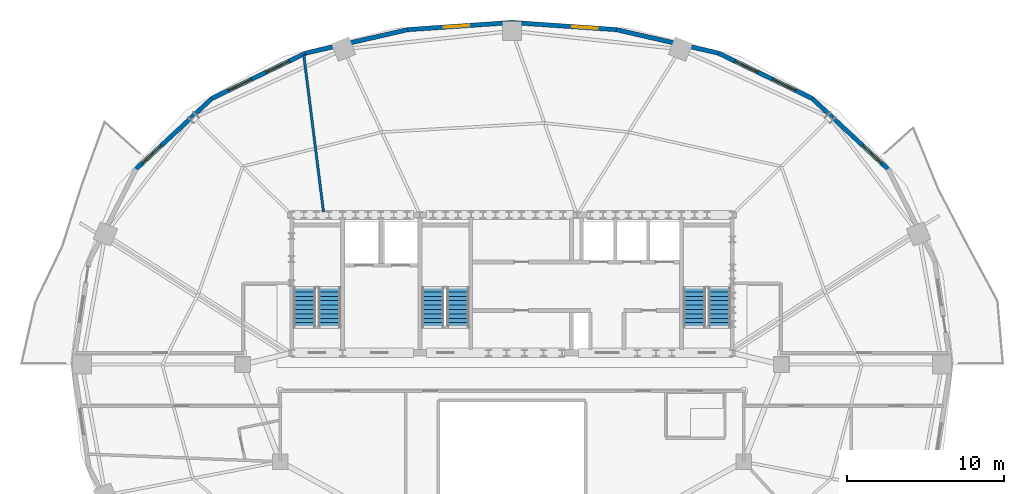
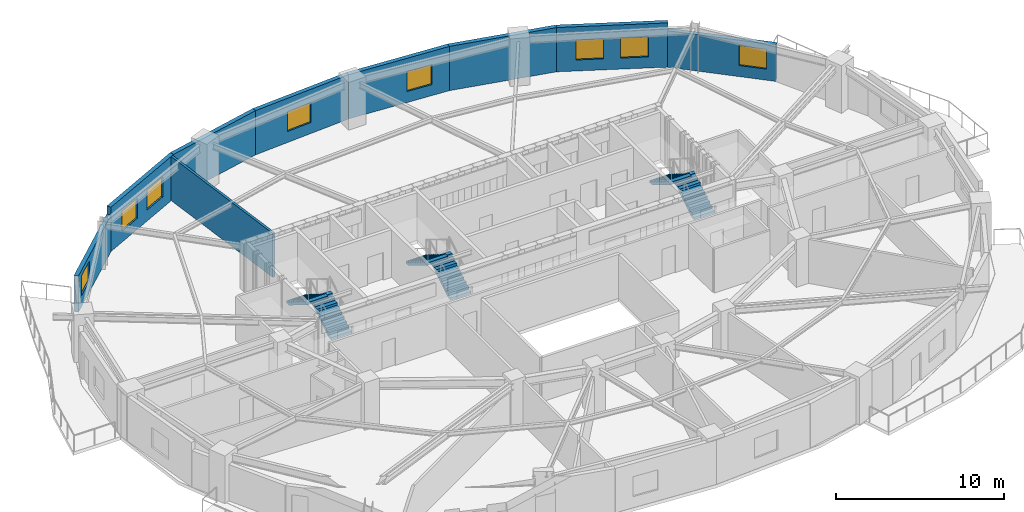
# One storey, part 6 of 11: 9 walls, 8 windows, 6 stair flights, 8 openings, 3 elements without a shape of their own.
"""IFC4 building model written with IfcOpenShell, lengths in metres."""

from ifc_helpers import new_model, si_unit, direction, frame, frame_2d, origin, place, context, subcontext, project, spatial, polyline, rectangle, outline, extrude, material, layer, layer_set, type_object, element, fill, aggregate, save


model = new_model("IFC4")

# Units and contexts
model_context = context("Model", 3, precision=1e-05, world=origin(), true_north=direction((0.0, 1.0)))
body_context = subcontext(model_context, "Body", "Model", "MODEL_VIEW")
ifc_project = project(units=[si_unit("LENGTHUNIT", "METRE"), si_unit("AREAUNIT", "SQUARE_METRE"), si_unit("VOLUMEUNIT", "CUBIC_METRE"), si_unit("PLANEANGLEUNIT", "RADIAN"), si_unit("MASSUNIT", "GRAM", prefix="KILO")], contexts=[model_context])

# Site, building, storey
site_placement = place(None, origin())
site = spatial("IfcSite", under=ifc_project, at=site_placement, CompositionType="ELEMENT")
building_placement = place(site_placement, origin())
building = spatial("IfcBuilding", under=site, at=building_placement, Name="Haldorwick Loom Tower", CompositionType="ELEMENT")
storey_placement = place(building_placement, frame((0.0, 0.0, 208.300048828125)))
storey = spatial("IfcBuildingStorey", under=building, at=storey_placement, Name="L56", CompositionType="ELEMENT", Elevation=208.300048828125)

# Wall, opening, window
ifc_material_1 = material(Name="Pressed Clay Face Brick and Insulated Masonry Backup Assembly", Category="masonry")
ifc_layer_1 = layer(ifc_material_1, 0.280029296875, Name="Pressed Clay Face Brick and Insulated Masonry Backup Assembly", Category="masonry")
ifc_layer_set_1 = layer_set([ifc_layer_1], Name="Pressed Clay Face Brick and Insulated Masonry Backup Assembly")
wall_type_1 = type_object("IfcWallType", Name="ARC-WL-EXT280", PredefinedType="STANDARD", material=ifc_layer_set_1)
wall_1_placement = place(storey_placement, frame((60.005615234375, 38.4853515625, 0.0), z_axis=(0.0, 0.0, 1.0), x_axis=(-0.731833707499, 0.681483253329, 0.0)))
wall_1 = element("IfcWall", 1, at=wall_1_placement, inside=storey, type_object=wall_type_1, Name="L56 Brick Pier and Spandrel Wall 3", PredefinedType="STANDARD", context=body_context, shape_type="SweptSolid", body=[
    extrude(rectangle(XDim=6.61865234375, YDim=0.280029296875, at=frame_2d((3.309326171875, 0.0))), origin(), (0.0, 0.0, 1.0), 2.640869140625),
])
opening_1_placement = place(wall_1_placement, frame((0.58154296875, 0.0, 0.800048828125)))
opening_1 = element("IfcOpeningElement", 2, at=opening_1_placement, cuts=wall_1, Name="Opening W-01B", PredefinedType="OPENING", context=body_context, shape_type="SweptSolid", body=[
    extrude(rectangle(XDim=1.64990234375, YDim=1.449951171875, at=frame_2d((0.824951171875, 0.72509765625))), frame((0.0, 0.14990234375, 0.0), z_axis=(0.0, -1.0, 0.0), x_axis=(1.0, 0.0, 0.0)), (0.0, 0.0, 1.0), 0.300048828125),
])
ifc_material_2 = material(Name="Triple-Glazed Low-E Argon Insulated Glazing Unit", Category="glass")
window_type = type_object("IfcWindowType", Name="ARC-WIN-W165", PartitioningType="SINGLE_PANEL", PredefinedType="WINDOW", material=ifc_material_2)
window_1_placement = place(opening_1_placement, origin())
window_1 = element("IfcWindow", 3, at=window_1_placement, inside=storey, type_object=window_type, Name="L56 Deep-Set Zone 7A Window 3", OverallHeight=1.449951171875, OverallWidth=1.64990234375, PartitioningType="SINGLE_PANEL", PredefinedType="WINDOW", context=body_context, shape_type="SweptSolid", body=[
    extrude(rectangle(XDim=1.64990234375, YDim=1.449951171875, at=frame_2d((0.824951171875, 0.72509765625))), frame((0.0, 0.030029296875, 0.0), z_axis=(0.0, -1.0, 0.0), x_axis=(1.0, 0.0, 0.0)), (0.0, 0.0, 1.0), 0.06005859375),
])
fill(opening_1, window_1)

# Wall, openings, windows
wall_2_placement = place(storey_placement, frame((55.161865234375, 42.995849609375, 0.0), z_axis=(0.0, 0.0, 1.0), x_axis=(-0.900371236029, 0.435122554381, 0.0)))
wall_2 = element("IfcWall", 4, at=wall_2_placement, inside=storey, type_object=wall_type_1, Name="L56 Brick Pier and Spandrel Wall 4", PredefinedType="STANDARD", context=body_context, shape_type="SweptSolid", body=[
    extrude(rectangle(XDim=6.6533203125, YDim=0.280029296875, at=frame_2d((3.32666015625, 0.0))), origin(), (0.0, 0.0, 1.0), 3.2099609375),
])
opening_2_placement = place(wall_2_placement, frame((1.1708984375, 0.0, 0.800048828125)))
opening_2 = element("IfcOpeningElement", 5, at=opening_2_placement, cuts=wall_2, Name="Opening W-01B", PredefinedType="OPENING", context=body_context, shape_type="SweptSolid", body=[
    extrude(rectangle(XDim=1.64990234375, YDim=1.449951171875, at=frame_2d((0.824951171875, 0.72509765625))), frame((0.0, 0.14990234375, 0.0), z_axis=(0.0, -1.0, 0.0), x_axis=(1.0, 0.0, 0.0)), (0.0, 0.0, 1.0), 0.300048828125),
])
opening_3_placement = place(wall_2_placement, frame((3.832275390625, 0.0, 0.800048828125)))
opening_3 = element("IfcOpeningElement", 6, at=opening_3_placement, cuts=wall_2, Name="Opening W-01B", PredefinedType="OPENING", context=body_context, shape_type="SweptSolid", body=[
    extrude(rectangle(XDim=1.64990234375, YDim=1.449951171875, at=frame_2d((0.824951171875, 0.72509765625))), frame((0.0, 0.14990234375, 0.0), z_axis=(0.0, -1.0, 0.0), x_axis=(1.0, 0.0, 0.0)), (0.0, 0.0, 1.0), 0.300048828125),
])
window_2_placement = place(opening_2_placement, origin())
window_2 = element("IfcWindow", 7, at=window_2_placement, inside=storey, type_object=window_type, Name="L56 Deep-Set Zone 7A Window 4", OverallHeight=1.449951171875, OverallWidth=1.64990234375, PartitioningType="SINGLE_PANEL", PredefinedType="WINDOW", context=body_context, shape_type="SweptSolid", body=[
    extrude(rectangle(XDim=1.64990234375, YDim=1.449951171875, at=frame_2d((0.824951171875, 0.72509765625))), frame((0.0, 0.030029296875, 0.0), z_axis=(0.0, -1.0, 0.0), x_axis=(1.0, 0.0, 0.0)), (0.0, 0.0, 1.0), 0.06005859375),
])
fill(opening_2, window_2)
window_3_placement = place(opening_3_placement, origin())
window_3 = element("IfcWindow", 8, at=window_3_placement, inside=storey, type_object=window_type, Name="L56 Deep-Set Zone 7A Window 4", OverallHeight=1.449951171875, OverallWidth=1.64990234375, PartitioningType="SINGLE_PANEL", PredefinedType="WINDOW", context=body_context, shape_type="SweptSolid", body=[
    extrude(rectangle(XDim=1.64990234375, YDim=1.449951171875, at=frame_2d((0.824951171875, 0.72509765625))), frame((0.0, 0.030029296875, 0.0), z_axis=(0.0, -1.0, 0.0), x_axis=(1.0, 0.0, 0.0)), (0.0, 0.0, 1.0), 0.06005859375),
])
fill(opening_3, window_3)

# Wall
wall_3_placement = place(storey_placement, frame((49.17138671875, 45.890869140625, 0.0), z_axis=(0.0, 0.0, 1.0), x_axis=(-0.974557343474, 0.224138315065, 0.0)))
element("IfcWall", 9, at=wall_3_placement, inside=storey, type_object=wall_type_1, Name="L56 Brick Pier and Spandrel Wall 5", PredefinedType="STANDARD", context=body_context, shape_type="SweptSolid", body=[
    extrude(rectangle(XDim=6.676025390625, YDim=0.280029296875, at=frame_2d((3.337890625, 0.0))), origin(), (0.0, 0.0, 1.0), 3.2099609375),
])

# Wall, opening, window
wall_4_placement = place(storey_placement, frame((42.665283203125, 47.38720703125, 0.0), z_axis=(0.0, 0.0, 1.0), x_axis=(-0.99764992135, 0.068517402386, 0.0)))
wall_4 = element("IfcWall", 10, at=wall_4_placement, inside=storey, type_object=wall_type_1, Name="L56 Brick Pier and Spandrel Wall 6", PredefinedType="STANDARD", context=body_context, shape_type="SweptSolid", body=[
    extrude(rectangle(XDim=6.680908203125, YDim=0.280029296875, at=frame_2d((3.34033203125, 0.0))), origin(), (0.0, 0.0, 1.0), 3.2099609375),
])
opening_4_placement = place(wall_4_placement, frame((1.17919921875, 0.0, 0.800048828125)))
opening_4 = element("IfcOpeningElement", 11, at=opening_4_placement, cuts=wall_4, Name="Opening W-01B", PredefinedType="OPENING", context=body_context, shape_type="SweptSolid", body=[
    extrude(rectangle(XDim=1.64990234375, YDim=1.449951171875, at=frame_2d((0.824951171875, 0.72509765625))), frame((0.0, 0.14990234375, 0.0), z_axis=(0.0, -1.0, 0.0), x_axis=(1.0, 0.0, 0.0)), (0.0, 0.0, 1.0), 0.300048828125),
])
window_4_placement = place(opening_4_placement, origin())
window_4 = element("IfcWindow", 12, at=window_4_placement, inside=storey, type_object=window_type, Name="L56 Deep-Set Zone 7A Window 6", OverallHeight=1.449951171875, OverallWidth=1.64990234375, PartitioningType="SINGLE_PANEL", PredefinedType="WINDOW", context=body_context, shape_type="SweptSolid", body=[
    extrude(rectangle(XDim=1.64990234375, YDim=1.449951171875, at=frame_2d((0.824951171875, 0.72509765625))), frame((0.0, 0.030029296875, 0.0), z_axis=(0.0, -1.0, 0.0), x_axis=(1.0, 0.0, 0.0)), (0.0, 0.0, 1.0), 0.06005859375),
])
fill(opening_4, window_4)

wall_5_placement = place(storey_placement, frame((36.0, 47.844970703125, 0.0), z_axis=(0.0, 0.0, 1.0), x_axis=(-0.99764992135, -0.068517402386, 0.0)))
wall_5 = element("IfcWall", 13, at=wall_5_placement, inside=storey, type_object=wall_type_1, Name="L56 Brick Pier and Spandrel Wall 7", PredefinedType="STANDARD", context=body_context, shape_type="SweptSolid", body=[
    extrude(rectangle(XDim=6.680908203125, YDim=0.280029296875, at=frame_2d((3.34033203125, 0.0))), origin(), (0.0, 0.0, 1.0), 3.2099609375),
])
opening_5_placement = place(wall_5_placement, frame((2.72412109375, 0.0, 0.800048828125)))
opening_5 = element("IfcOpeningElement", 14, at=opening_5_placement, cuts=wall_5, Name="Opening W-01B", PredefinedType="OPENING", context=body_context, shape_type="SweptSolid", body=[
    extrude(rectangle(XDim=1.64990234375, YDim=1.449951171875, at=frame_2d((0.824951171875, 0.72509765625))), frame((0.0, 0.14990234375, 0.0), z_axis=(0.0, -1.0, 0.0), x_axis=(1.0, 0.0, 0.0)), (0.0, 0.0, 1.0), 0.300048828125),
])
window_5_placement = place(opening_5_placement, origin())
window_5 = element("IfcWindow", 15, at=window_5_placement, inside=storey, type_object=window_type, Name="L56 Deep-Set Zone 7A Window 7", OverallHeight=1.449951171875, OverallWidth=1.64990234375, PartitioningType="SINGLE_PANEL", PredefinedType="WINDOW", context=body_context, shape_type="SweptSolid", body=[
    extrude(rectangle(XDim=1.64990234375, YDim=1.449951171875, at=frame_2d((0.824951171875, 0.72509765625))), frame((0.0, 0.030029296875, 0.0), z_axis=(0.0, -1.0, 0.0), x_axis=(1.0, 0.0, 0.0)), (0.0, 0.0, 1.0), 0.06005859375),
])
fill(opening_5, window_5)

# Wall
wall_6_placement = place(storey_placement, frame((29.334716796875, 47.38720703125, 0.0), z_axis=(0.0, 0.0, 1.0), x_axis=(-0.974557343474, -0.224138315065, 0.0)))
element("IfcWall", 16, at=wall_6_placement, inside=storey, type_object=wall_type_1, Name="L56 Brick Pier and Spandrel Wall 8", PredefinedType="STANDARD", context=body_context, shape_type="SweptSolid", body=[
    extrude(rectangle(XDim=6.676025390625, YDim=0.280029296875, at=frame_2d((3.337890625, 0.0))), origin(), (0.0, 0.0, 1.0), 3.2099609375),
])

# Wall, openings, windows
wall_7_placement = place(storey_placement, frame((22.82861328125, 45.890869140625, 0.0), z_axis=(0.0, 0.0, 1.0), x_axis=(-0.900371236029, -0.435122554381, 0.0)))
wall_7 = element("IfcWall", 17, at=wall_7_placement, inside=storey, type_object=wall_type_1, Name="L56 Brick Pier and Spandrel Wall 9", PredefinedType="STANDARD", context=body_context, shape_type="SweptSolid", body=[
    extrude(rectangle(XDim=6.6533203125, YDim=0.280029296875, at=frame_2d((3.32666015625, 0.0))), origin(), (0.0, 0.0, 1.0), 3.2099609375),
])
opening_6_placement = place(wall_7_placement, frame((1.1708984375, 0.0, 0.800048828125)))
opening_6 = element("IfcOpeningElement", 18, at=opening_6_placement, cuts=wall_7, Name="Opening W-01B", PredefinedType="OPENING", context=body_context, shape_type="SweptSolid", body=[
    extrude(rectangle(XDim=1.64990234375, YDim=1.449951171875, at=frame_2d((0.824951171875, 0.72509765625))), frame((0.0, 0.14990234375, 0.0), z_axis=(0.0, -1.0, 0.0), x_axis=(1.0, 0.0, 0.0)), (0.0, 0.0, 1.0), 0.300048828125),
])
opening_7_placement = place(wall_7_placement, frame((3.832275390625, 0.0, 0.800048828125)))
opening_7 = element("IfcOpeningElement", 19, at=opening_7_placement, cuts=wall_7, Name="Opening W-01B", PredefinedType="OPENING", context=body_context, shape_type="SweptSolid", body=[
    extrude(rectangle(XDim=1.64990234375, YDim=1.449951171875, at=frame_2d((0.824951171875, 0.72509765625))), frame((0.0, 0.14990234375, 0.0), z_axis=(0.0, -1.0, 0.0), x_axis=(1.0, 0.0, 0.0)), (0.0, 0.0, 1.0), 0.300048828125),
])
window_6_placement = place(opening_6_placement, origin())
window_6 = element("IfcWindow", 20, at=window_6_placement, inside=storey, type_object=window_type, Name="L56 Deep-Set Zone 7A Window 9", OverallHeight=1.449951171875, OverallWidth=1.64990234375, PartitioningType="SINGLE_PANEL", PredefinedType="WINDOW", context=body_context, shape_type="SweptSolid", body=[
    extrude(rectangle(XDim=1.64990234375, YDim=1.449951171875, at=frame_2d((0.824951171875, 0.72509765625))), frame((0.0, 0.030029296875, 0.0), z_axis=(0.0, -1.0, 0.0), x_axis=(1.0, 0.0, 0.0)), (0.0, 0.0, 1.0), 0.06005859375),
])
fill(opening_6, window_6)
window_7_placement = place(opening_7_placement, origin())
window_7 = element("IfcWindow", 21, at=window_7_placement, inside=storey, type_object=window_type, Name="L56 Deep-Set Zone 7A Window 9", OverallHeight=1.449951171875, OverallWidth=1.64990234375, PartitioningType="SINGLE_PANEL", PredefinedType="WINDOW", context=body_context, shape_type="SweptSolid", body=[
    extrude(rectangle(XDim=1.64990234375, YDim=1.449951171875, at=frame_2d((0.824951171875, 0.72509765625))), frame((0.0, 0.030029296875, 0.0), z_axis=(0.0, -1.0, 0.0), x_axis=(1.0, 0.0, 0.0)), (0.0, 0.0, 1.0), 0.06005859375),
])
fill(opening_7, window_7)

# Wall, opening, window
wall_8_placement = place(storey_placement, frame((16.838134765625, 42.995849609375, 0.0), z_axis=(0.0, 0.0, 1.0), x_axis=(-0.731833707499, -0.681483253329, 0.0)))
wall_8 = element("IfcWall", 22, at=wall_8_placement, inside=storey, type_object=wall_type_1, Name="L56 Brick Pier and Spandrel Wall 10", PredefinedType="STANDARD", context=body_context, shape_type="SweptSolid", body=[
    extrude(rectangle(XDim=6.61865234375, YDim=0.280029296875, at=frame_2d((3.309326171875, 0.0))), origin(), (0.0, 0.0, 1.0), 2.640869140625),
])
opening_8_placement = place(wall_8_placement, frame((4.38720703125, 0.0, 0.800048828125)))
opening_8 = element("IfcOpeningElement", 23, at=opening_8_placement, cuts=wall_8, Name="Opening W-01B", PredefinedType="OPENING", context=body_context, shape_type="SweptSolid", body=[
    extrude(rectangle(XDim=1.64990234375, YDim=1.449951171875, at=frame_2d((0.824951171875, 0.72509765625))), frame((0.0, 0.14990234375, 0.0), z_axis=(0.0, -1.0, 0.0), x_axis=(1.0, 0.0, 0.0)), (0.0, 0.0, 1.0), 0.300048828125),
])
window_8_placement = place(opening_8_placement, origin())
window_8 = element("IfcWindow", 24, at=window_8_placement, inside=storey, type_object=window_type, Name="L56 Deep-Set Zone 7A Window 10", OverallHeight=1.449951171875, OverallWidth=1.64990234375, PartitioningType="SINGLE_PANEL", PredefinedType="WINDOW", context=body_context, shape_type="SweptSolid", body=[
    extrude(rectangle(XDim=1.64990234375, YDim=1.449951171875, at=frame_2d((0.824951171875, 0.72509765625))), frame((0.0, 0.030029296875, 0.0), z_axis=(0.0, -1.0, 0.0), x_axis=(1.0, 0.0, 0.0)), (0.0, 0.0, 1.0), 0.06005859375),
])
fill(opening_8, window_8)

# Wall
ifc_material_3 = material(Name="Fire-Rated Type X Gypsum Stud Assembly EI 60")
ifc_layer_2 = layer(ifc_material_3, 0.159912109375, Name="Fire-Rated Type X Gypsum Stud Assembly EI 60")
ifc_layer_set_2 = layer_set([ifc_layer_2], Name="Fire-Rated Type X Gypsum Stud Assembly EI 60")
wall_type_2 = type_object("IfcWallType", Name="ARC-WL-FIRE160", PredefinedType="PARTITIONING", material=ifc_layer_set_2)
wall_9_placement = place(storey_placement, frame((23.9619140625, 35.7529296875, 0.0), z_axis=(0.0, 0.0, 1.0), x_axis=(-0.124584783338, 0.992208965773, 0.0)))
element("IfcWall", 25, at=wall_9_placement, inside=storey, type_object=wall_type_2, Name="L56 Residential Fire Partition L56-UPN-C3", PredefinedType="PARTITIONING", context=body_context, shape_type="SweptSolid", body=[
    extrude(rectangle(XDim=10.105712890625, YDim=0.159912109375, at=frame_2d((5.052734375, 0.0))), origin(), (0.0, 0.0, 1.0), 3.195068359375),
])

# Stair, stair flights
ifc_material_4 = material(Name="Concrete C40 (40 MPa)", Category="concrete")
stair_type = type_object("IfcStairType", Name="STR-STR-CORE", PredefinedType="HALF_TURN_STAIR", material=ifc_material_4)
stair_1_placement = place(storey_placement, origin())
stair_1 = element("IfcStair", 26, at=stair_1_placement, inside=storey, type_object=stair_type, Name="L56 Exit Stair ST-01", PredefinedType="HALF_TURN_STAIR")
stair_flight_type = type_object("IfcStairFlightType", Name="STR-STF-1250", PredefinedType="STRAIGHT", material=ifc_material_4)
stair_flight_1_placement = place(storey_placement, frame((24.35009765625, 28.39990234375, 0.0), z_axis=(0.0, 0.0, 1.0), x_axis=(0.0, 1.0, 0.0)))
stair_flight_1 = element("IfcStairFlight", 27, at=stair_flight_1_placement, type_object=stair_flight_type, Name="ST-01 flight 1", NumberOfRisers=10, NumberOfTreads=9, PredefinedType="STRAIGHT", RiserHeight=0.1725, TreadLength=0.28, context=body_context, shape_type="SweptSolid", body=[
    extrude(outline(polyline([(0.0, 0.0), (0.0, 0.172607421875), (0.280029296875, 0.172607421875), (0.280029296875, 0.344970703125), (0.56005859375, 0.344970703125), (0.56005859375, 0.517578125), (0.840087890625, 0.517578125), (0.840087890625, 0.68994140625), (1.1201171875, 0.68994140625), (1.1201171875, 0.862548828125), (1.39990234375, 0.862548828125), (1.39990234375, 1.034912109375), (1.679931640625, 1.034912109375), (1.679931640625, 1.20751953125), (1.9599609375, 1.20751953125), (1.9599609375, 1.3798828125), (2.239990234375, 1.3798828125), (2.239990234375, 1.552490234375), (2.52001953125, 1.552490234375), (2.52001953125, 1.72509765625), (2.52001953125, 1.37646484375), (0.285888671875, 0.0), (0.0, 0.0)])), frame((0.0, 0.699951171875, 0.0), z_axis=(0.0, -1.0, 0.0), x_axis=(1.0, 0.0, 0.0)), (0.0, 0.0, 1.0), 1.39990234375),
])
stair_flight_2_placement = place(storey_placement, frame((22.75, 30.919921875, 1.724853515625), z_axis=(0.0, 0.0, 1.0), x_axis=(0.0, -1.0, 0.0)))
stair_flight_2 = element("IfcStairFlight", 28, at=stair_flight_2_placement, type_object=stair_flight_type, Name="ST-01 flight 2", NumberOfRisers=10, NumberOfTreads=9, PredefinedType="STRAIGHT", RiserHeight=0.1725, TreadLength=0.28, context=body_context, shape_type="SweptSolid", body=[
    extrude(outline(polyline([(0.0, 0.0), (0.0, 0.172607421875), (0.280029296875, 0.172607421875), (0.280029296875, 0.344970703125), (0.56005859375, 0.344970703125), (0.56005859375, 0.517578125), (0.840087890625, 0.517578125), (0.840087890625, 0.68994140625), (1.1201171875, 0.68994140625), (1.1201171875, 0.862548828125), (1.39990234375, 0.862548828125), (1.39990234375, 1.034912109375), (1.679931640625, 1.034912109375), (1.679931640625, 1.20751953125), (1.9599609375, 1.20751953125), (1.9599609375, 1.3798828125), (2.239990234375, 1.3798828125), (2.239990234375, 1.552490234375), (2.52001953125, 1.552490234375), (2.52001953125, 1.72509765625), (2.52001953125, 1.37646484375), (0.285888671875, 0.0), (0.0, 0.0)])), frame((0.0, 0.699951171875, 0.0), z_axis=(0.0, -1.0, 0.0), x_axis=(1.0, 0.0, 0.0)), (0.0, 0.0, 1.0), 1.39990234375),
])
aggregate(stair_1, [stair_flight_1, stair_flight_2])

stair_2_placement = place(storey_placement, origin())
stair_2 = element("IfcStair", 29, at=stair_2_placement, inside=storey, type_object=stair_type, Name="L56 Exit Stair ST-02", PredefinedType="HALF_TURN_STAIR")
stair_flight_3_placement = place(storey_placement, frame((49.25, 28.39990234375, 0.0), z_axis=(0.0, 0.0, 1.0), x_axis=(0.0, 1.0, 0.0)))
stair_flight_3 = element("IfcStairFlight", 30, at=stair_flight_3_placement, type_object=stair_flight_type, Name="ST-02 flight 1", NumberOfRisers=10, NumberOfTreads=9, PredefinedType="STRAIGHT", RiserHeight=0.1725, TreadLength=0.28, context=body_context, shape_type="SweptSolid", body=[
    extrude(outline(polyline([(0.0, 0.0), (0.0, 0.172607421875), (0.280029296875, 0.172607421875), (0.280029296875, 0.344970703125), (0.56005859375, 0.344970703125), (0.56005859375, 0.517578125), (0.840087890625, 0.517578125), (0.840087890625, 0.68994140625), (1.1201171875, 0.68994140625), (1.1201171875, 0.862548828125), (1.39990234375, 0.862548828125), (1.39990234375, 1.034912109375), (1.679931640625, 1.034912109375), (1.679931640625, 1.20751953125), (1.9599609375, 1.20751953125), (1.9599609375, 1.3798828125), (2.239990234375, 1.3798828125), (2.239990234375, 1.552490234375), (2.52001953125, 1.552490234375), (2.52001953125, 1.72509765625), (2.52001953125, 1.37646484375), (0.285888671875, 0.0), (0.0, 0.0)])), frame((0.0, 0.699951171875, 0.0), z_axis=(0.0, -1.0, 0.0), x_axis=(1.0, 0.0, 0.0)), (0.0, 0.0, 1.0), 1.39990234375),
])
stair_flight_4_placement = place(storey_placement, frame((47.64990234375, 30.919921875, 1.724853515625), z_axis=(0.0, 0.0, 1.0), x_axis=(0.0, -1.0, 0.0)))
stair_flight_4 = element("IfcStairFlight", 31, at=stair_flight_4_placement, type_object=stair_flight_type, Name="ST-02 flight 2", NumberOfRisers=10, NumberOfTreads=9, PredefinedType="STRAIGHT", RiserHeight=0.1725, TreadLength=0.28, context=body_context, shape_type="SweptSolid", body=[
    extrude(outline(polyline([(0.0, 0.0), (0.0, 0.172607421875), (0.280029296875, 0.172607421875), (0.280029296875, 0.344970703125), (0.56005859375, 0.344970703125), (0.56005859375, 0.517578125), (0.840087890625, 0.517578125), (0.840087890625, 0.68994140625), (1.1201171875, 0.68994140625), (1.1201171875, 0.862548828125), (1.39990234375, 0.862548828125), (1.39990234375, 1.034912109375), (1.679931640625, 1.034912109375), (1.679931640625, 1.20751953125), (1.9599609375, 1.20751953125), (1.9599609375, 1.3798828125), (2.239990234375, 1.3798828125), (2.239990234375, 1.552490234375), (2.52001953125, 1.552490234375), (2.52001953125, 1.72509765625), (2.52001953125, 1.37646484375), (0.285888671875, 0.0), (0.0, 0.0)])), frame((0.0, 0.699951171875, 0.0), z_axis=(0.0, -1.0, 0.0), x_axis=(1.0, 0.0, 0.0)), (0.0, 0.0, 1.0), 1.39990234375),
])
aggregate(stair_2, [stair_flight_3, stair_flight_4])

stair_3_placement = place(storey_placement, origin())
stair_3 = element("IfcStair", 32, at=stair_3_placement, inside=storey, type_object=stair_type, Name="L56 Exit Stair ST-03", PredefinedType="HALF_TURN_STAIR")
stair_flight_5_placement = place(storey_placement, frame((32.550048828125, 28.39990234375, 0.0), z_axis=(0.0, 0.0, 1.0), x_axis=(0.0, 1.0, 0.0)))
stair_flight_5 = element("IfcStairFlight", 33, at=stair_flight_5_placement, type_object=stair_flight_type, Name="ST-03 flight 1", NumberOfRisers=10, NumberOfTreads=9, PredefinedType="STRAIGHT", RiserHeight=0.1725, TreadLength=0.28, context=body_context, shape_type="SweptSolid", body=[
    extrude(outline(polyline([(0.0, 0.0), (0.0, 0.172607421875), (0.280029296875, 0.172607421875), (0.280029296875, 0.344970703125), (0.56005859375, 0.344970703125), (0.56005859375, 0.517578125), (0.840087890625, 0.517578125), (0.840087890625, 0.68994140625), (1.1201171875, 0.68994140625), (1.1201171875, 0.862548828125), (1.39990234375, 0.862548828125), (1.39990234375, 1.034912109375), (1.679931640625, 1.034912109375), (1.679931640625, 1.20751953125), (1.9599609375, 1.20751953125), (1.9599609375, 1.3798828125), (2.239990234375, 1.3798828125), (2.239990234375, 1.552490234375), (2.52001953125, 1.552490234375), (2.52001953125, 1.72509765625), (2.52001953125, 1.37646484375), (0.285888671875, 0.0), (0.0, 0.0)])), frame((0.0, 0.699951171875, 0.0), z_axis=(0.0, -1.0, 0.0), x_axis=(1.0, 0.0, 0.0)), (0.0, 0.0, 1.0), 1.39990234375),
])
stair_flight_6_placement = place(storey_placement, frame((30.949951171875, 30.919921875, 1.724853515625), z_axis=(0.0, 0.0, 1.0), x_axis=(0.0, -1.0, 0.0)))
stair_flight_6 = element("IfcStairFlight", 34, at=stair_flight_6_placement, type_object=stair_flight_type, Name="ST-03 flight 2", NumberOfRisers=10, NumberOfTreads=9, PredefinedType="STRAIGHT", RiserHeight=0.1725, TreadLength=0.28, context=body_context, shape_type="SweptSolid", body=[
    extrude(outline(polyline([(0.0, 0.0), (0.0, 0.172607421875), (0.280029296875, 0.172607421875), (0.280029296875, 0.344970703125), (0.56005859375, 0.344970703125), (0.56005859375, 0.517578125), (0.840087890625, 0.517578125), (0.840087890625, 0.68994140625), (1.1201171875, 0.68994140625), (1.1201171875, 0.862548828125), (1.39990234375, 0.862548828125), (1.39990234375, 1.034912109375), (1.679931640625, 1.034912109375), (1.679931640625, 1.20751953125), (1.9599609375, 1.20751953125), (1.9599609375, 1.3798828125), (2.239990234375, 1.3798828125), (2.239990234375, 1.552490234375), (2.52001953125, 1.552490234375), (2.52001953125, 1.72509765625), (2.52001953125, 1.37646484375), (0.285888671875, 0.0), (0.0, 0.0)])), frame((0.0, 0.699951171875, 0.0), z_axis=(0.0, -1.0, 0.0), x_axis=(1.0, 0.0, 0.0)), (0.0, 0.0, 1.0), 1.39990234375),
])
aggregate(stair_3, [stair_flight_5, stair_flight_6])

save(model, "model.ifc")
